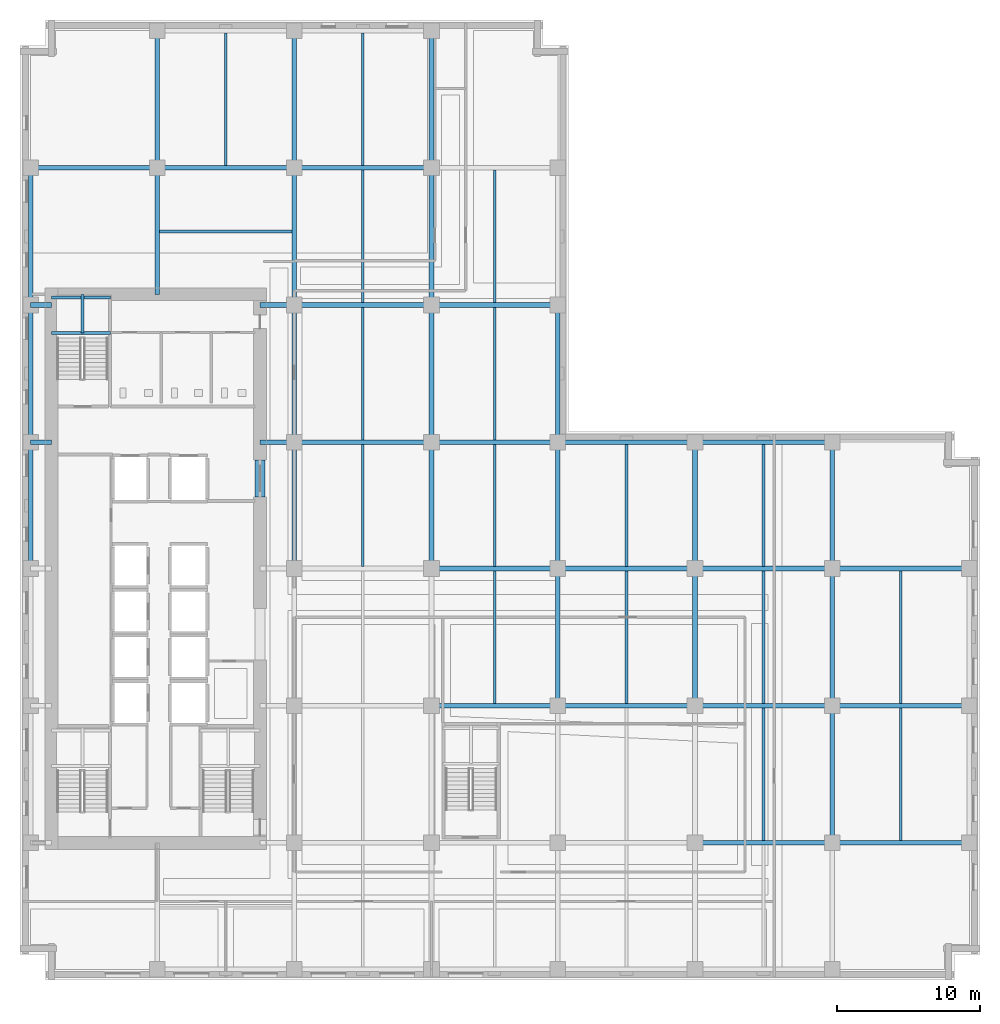
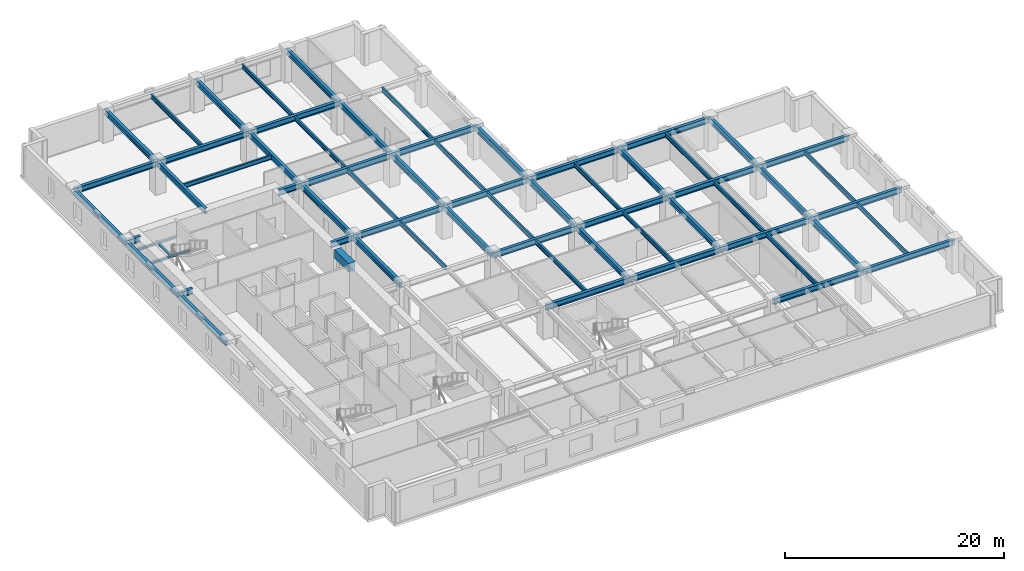
# One storey, part 2 of 15: 65 beams.
"""IFC4 building model written with IfcOpenShell, lengths in metres."""

from ifc_helpers import new_model, si_unit, direction, frame, origin, origin_2d, place, context, subcontext, project, spatial, rectangle, i_section, extrude, material, material_profile, profile_set, type_object, element, save


model = new_model("IFC4")

# Units and contexts
model_context = context("Model", 3, precision=1e-05, world=origin(), true_north=direction((0.0, 1.0)))
body_context = subcontext(model_context, "Body", "Model", "MODEL_VIEW")
ifc_project = project(units=[si_unit("LENGTHUNIT", "METRE"), si_unit("AREAUNIT", "SQUARE_METRE"), si_unit("VOLUMEUNIT", "CUBIC_METRE"), si_unit("PLANEANGLEUNIT", "RADIAN"), si_unit("MASSUNIT", "GRAM", prefix="KILO")], contexts=[model_context])

# Site, building, storey
site_placement = place(None, origin())
site = spatial("IfcSite", under=ifc_project, at=site_placement, CompositionType="ELEMENT")
building_placement = place(site_placement, origin())
building = spatial("IfcBuilding", under=site, at=building_placement, Name="Norrvale University Quadrangle", CompositionType="ELEMENT")
storey_placement = place(building_placement, frame((0.0, 0.0, 92.60009765625)))
storey = spatial("IfcBuildingStorey", under=building, at=storey_placement, Name="L23", CompositionType="ELEMENT", Elevation=92.60009765625)

# Beams
ifc_material_1 = material(Name="Steel 350W", Category="steel")
ifc_material_profile_1 = material_profile(ifc_material_1, i_section(OverallWidth=0.324951171875, OverallDepth=0.615966796875, WebThickness=0.013916015625, FlangeThickness=0.021484375, FilletRadius=0.01611328125, at=origin_2d()), Name="Steel 350W")
ifc_profile_set_1 = profile_set([ifc_material_profile_1], Name="Steel 350W")
beam_type_1 = type_object("IfcBeamType", Name="Beam Belt W610x174", PredefinedType="BEAM", material=ifc_profile_set_1)
beam_1_placement = place(storey_placement, frame((47.25, 9.60009765625, 3.171875), z_axis=(1.0, 0.0, 0.0), x_axis=(0.0, 1.0, 0.0)))
element("IfcBeam", 1, at=beam_1_placement, inside=storey, type_object=beam_type_1, Name="Beam Belt W610x174 BM-L23-GX009", PredefinedType="BEAM", context=body_context, shape_type="SweptSolid", body=[
    extrude(i_section(OverallWidth=0.324951171875, OverallDepth=0.615966796875, WebThickness=0.013916015625, FlangeThickness=0.021484375, FilletRadius=0.01611328125, at=origin_2d()), origin(), (0.0, 0.0, 1.0), 9.60009765625),
])
beam_2_placement = place(storey_placement, frame((56.85009765625, 9.60009765625, 3.171875), z_axis=(1.0, 0.0, 0.0), x_axis=(0.0, 1.0, 0.0)))
element("IfcBeam", 2, at=beam_2_placement, inside=storey, type_object=beam_type_1, Name="Beam Belt W610x174 BM-L23-GX010", PredefinedType="BEAM", context=body_context, shape_type="SweptSolid", body=[
    extrude(i_section(OverallWidth=0.324951171875, OverallDepth=0.615966796875, WebThickness=0.013916015625, FlangeThickness=0.021484375, FilletRadius=0.01611328125, at=origin_2d()), origin(), (0.0, 0.0, 1.0), 9.599853515625),
])
beam_3_placement = place(storey_placement, frame((28.800048828125, 19.199951171875, 3.171875), z_axis=(1.0, 0.0, 0.0), x_axis=(0.0, 1.0, 0.0)))
element("IfcBeam", 3, at=beam_3_placement, inside=storey, type_object=beam_type_1, Name="Beam Belt W610x174 BM-L23-GX012", PredefinedType="BEAM", context=body_context, shape_type="SweptSolid", body=[
    extrude(i_section(OverallWidth=0.324951171875, OverallDepth=0.615966796875, WebThickness=0.013916015625, FlangeThickness=0.021484375, FilletRadius=0.01611328125, at=origin_2d()), origin(), (0.0, 0.0, 1.0), 8.849853515625),
])
for number, where, z_axis, x_axis, name in (
    (4, (37.64990234375, 19.199951171875, 3.171875), (1.0, 0.0, 0.0), (0.0, 1.0, 0.0), "Beam Belt W610x174 BM-L23-GX013"),
    (5, (47.25, 19.199951171875, 3.171875), (1.0, 0.0, 0.0), (0.0, 1.0, 0.0), "Beam Belt W610x174 BM-L23-GX014"),
):
    element("IfcBeam", number, at=place(storey_placement, frame(where, z_axis=z_axis, x_axis=x_axis)), inside=storey, type_object=beam_type_1, Name=name, PredefinedType="BEAM", context=body_context, shape_type="SweptSolid", body=[
        extrude(i_section(OverallWidth=0.324951171875, OverallDepth=0.615966796875, WebThickness=0.013916015625, FlangeThickness=0.021484375, FilletRadius=0.01611328125, at=origin_2d()), origin(), (0.0, 0.0, 1.0), 9.60009765625),
    ])
beam_4_placement = place(storey_placement, frame((56.85009765625, 19.199951171875, 3.171875), z_axis=(1.0, 0.0, 0.0), x_axis=(0.0, 1.0, 0.0)))
element("IfcBeam", 6, at=beam_4_placement, inside=storey, type_object=beam_type_1, Name="Beam Belt W610x174 BM-L23-GX015", PredefinedType="BEAM", context=body_context, shape_type="SweptSolid", body=[
    extrude(i_section(OverallWidth=0.324951171875, OverallDepth=0.615966796875, WebThickness=0.013916015625, FlangeThickness=0.021484375, FilletRadius=0.01611328125, at=origin_2d()), origin(), (0.0, 0.0, 1.0), 9.599853515625),
])
beam_5_placement = place(storey_placement, frame((28.800048828125, 28.800048828125, 3.171875), z_axis=(1.0, 0.0, 0.0), x_axis=(0.0, 1.0, 0.0)))
element("IfcBeam", 7, at=beam_5_placement, inside=storey, type_object=beam_type_1, Name="Beam Belt W610x174 BM-L23-GX017", PredefinedType="BEAM", context=body_context, shape_type="SweptSolid", body=[
    extrude(i_section(OverallWidth=0.324951171875, OverallDepth=0.615966796875, WebThickness=0.013916015625, FlangeThickness=0.021484375, FilletRadius=0.01611328125, at=origin_2d()), origin(), (0.0, 0.0, 1.0), 8.849853515625),
])
for number, where, z_axis, x_axis, name in (
    (8, (37.64990234375, 28.800048828125, 3.171875), (1.0, 0.0, 0.0), (0.0, 1.0, 0.0), "Beam Belt W610x174 BM-L23-GX018"),
    (9, (47.25, 28.800048828125, 3.171875), (1.0, 0.0, 0.0), (0.0, 1.0, 0.0), "Beam Belt W610x174 BM-L23-GX019"),
):
    element("IfcBeam", number, at=place(storey_placement, frame(where, z_axis=z_axis, x_axis=x_axis)), inside=storey, type_object=beam_type_1, Name=name, PredefinedType="BEAM", context=body_context, shape_type="SweptSolid", body=[
        extrude(i_section(OverallWidth=0.324951171875, OverallDepth=0.615966796875, WebThickness=0.013916015625, FlangeThickness=0.021484375, FilletRadius=0.01611328125, at=origin_2d()), origin(), (0.0, 0.0, 1.0), 9.60009765625),
    ])
beam_6_placement = place(storey_placement, frame((56.85009765625, 28.800048828125, 3.171875), z_axis=(1.0, 0.0, 0.0), x_axis=(0.0, 1.0, 0.0)))
element("IfcBeam", 10, at=beam_6_placement, inside=storey, type_object=beam_type_1, Name="Beam Belt W610x174 BM-L23-GX020", PredefinedType="BEAM", context=body_context, shape_type="SweptSolid", body=[
    extrude(i_section(OverallWidth=0.324951171875, OverallDepth=0.615966796875, WebThickness=0.013916015625, FlangeThickness=0.021484375, FilletRadius=0.01611328125, at=origin_2d()), origin(), (0.0, 0.0, 1.0), 9.599853515625),
])
beam_7_placement = place(storey_placement, frame((19.199951171875, 37.64990234375, 3.171875), z_axis=(1.0, 0.0, 0.0), x_axis=(0.0, 1.0, 0.0)))
element("IfcBeam", 11, at=beam_7_placement, inside=storey, type_object=beam_type_1, Name="Beam Belt W610x174 BM-L23-GX021", PredefinedType="BEAM", context=body_context, shape_type="SweptSolid", body=[
    extrude(i_section(OverallWidth=0.324951171875, OverallDepth=0.615966796875, WebThickness=0.013916015625, FlangeThickness=0.021484375, FilletRadius=0.01611328125, at=origin_2d()), origin(), (0.0, 0.0, 1.0), 9.60009765625),
])
beam_8_placement = place(storey_placement, frame((28.800048828125, 37.64990234375, 3.171875), z_axis=(1.0, 0.0, 0.0), x_axis=(0.0, 1.0, 0.0)))
element("IfcBeam", 12, at=beam_8_placement, inside=storey, type_object=beam_type_1, Name="Beam Belt W610x174 BM-L23-GX022", PredefinedType="BEAM", context=body_context, shape_type="SweptSolid", body=[
    extrude(i_section(OverallWidth=0.324951171875, OverallDepth=0.615966796875, WebThickness=0.013916015625, FlangeThickness=0.021484375, FilletRadius=0.01611328125, at=origin_2d()), origin(), (0.0, 0.0, 1.0), 8.849853515625),
])
for number, where, z_axis, x_axis, name in (
    (13, (37.64990234375, 37.64990234375, 3.171875), (1.0, 0.0, 0.0), (0.0, 1.0, 0.0), "Beam Belt W610x174 BM-L23-GX023"),
    (14, (47.25, 37.64990234375, 3.171875), (1.0, 0.0, 0.0), (0.0, 1.0, 0.0), "Beam Belt W610x174 BM-L23-GX024"),
    (15, (19.199951171875, 47.25, 3.171875), (1.0, 0.0, 0.0), (0.0, 1.0, 0.0), "Beam Belt W610x174 BM-L23-GX025"),
):
    element("IfcBeam", number, at=place(storey_placement, frame(where, z_axis=z_axis, x_axis=x_axis)), inside=storey, type_object=beam_type_1, Name=name, PredefinedType="BEAM", context=body_context, shape_type="SweptSolid", body=[
        extrude(i_section(OverallWidth=0.324951171875, OverallDepth=0.615966796875, WebThickness=0.013916015625, FlangeThickness=0.021484375, FilletRadius=0.01611328125, at=origin_2d()), origin(), (0.0, 0.0, 1.0), 9.60009765625),
    ])
beam_9_placement = place(storey_placement, frame((28.800048828125, 47.25, 3.171875), z_axis=(1.0, 0.0, 0.0), x_axis=(0.0, 1.0, 0.0)))
element("IfcBeam", 16, at=beam_9_placement, inside=storey, type_object=beam_type_1, Name="Beam Belt W610x174 BM-L23-GX026", PredefinedType="BEAM", context=body_context, shape_type="SweptSolid", body=[
    extrude(i_section(OverallWidth=0.324951171875, OverallDepth=0.615966796875, WebThickness=0.013916015625, FlangeThickness=0.021484375, FilletRadius=0.01611328125, at=origin_2d()), origin(), (0.0, 0.0, 1.0), 8.849853515625),
])
beam_10_placement = place(storey_placement, frame((0.75, 56.85009765625, 3.171875), z_axis=(1.0, 0.0, 0.0), x_axis=(0.0, 1.0, 0.0)))
element("IfcBeam", 17, at=beam_10_placement, inside=storey, type_object=beam_type_1, Name="Beam Belt W610x174 BM-L23-GX027", PredefinedType="BEAM", context=body_context, shape_type="SweptSolid", body=[
    extrude(i_section(OverallWidth=0.324951171875, OverallDepth=0.615966796875, WebThickness=0.013916015625, FlangeThickness=0.021484375, FilletRadius=0.01611328125, at=origin_2d()), origin(), (0.0, 0.0, 1.0), 8.85009765625),
])
beam_11_placement = place(storey_placement, frame((9.60009765625, 56.85009765625, 3.171875), z_axis=(1.0, 0.0, 0.0), x_axis=(0.0, 1.0, 0.0)))
element("IfcBeam", 18, at=beam_11_placement, inside=storey, type_object=beam_type_1, Name="Beam Belt W610x174 BM-L23-GX028", PredefinedType="BEAM", context=body_context, shape_type="SweptSolid", body=[
    extrude(i_section(OverallWidth=0.324951171875, OverallDepth=0.615966796875, WebThickness=0.013916015625, FlangeThickness=0.021484375, FilletRadius=0.01611328125, at=origin_2d()), origin(), (0.0, 0.0, 1.0), 9.599853515625),
])
beam_12_placement = place(storey_placement, frame((19.199951171875, 56.85009765625, 3.171875), z_axis=(1.0, 0.0, 0.0), x_axis=(0.0, 1.0, 0.0)))
element("IfcBeam", 19, at=beam_12_placement, inside=storey, type_object=beam_type_1, Name="Beam Belt W610x174 BM-L23-GX029", PredefinedType="BEAM", context=body_context, shape_type="SweptSolid", body=[
    extrude(i_section(OverallWidth=0.324951171875, OverallDepth=0.615966796875, WebThickness=0.013916015625, FlangeThickness=0.021484375, FilletRadius=0.01611328125, at=origin_2d()), origin(), (0.0, 0.0, 1.0), 9.60009765625),
])
beam_13_placement = place(storey_placement, frame((0.75, 28.800048828125, 3.171875), z_axis=(0.0, 1.0, 0.0), x_axis=(-1.0, 0.0, 0.0)))
element("IfcBeam", 20, at=beam_13_placement, inside=storey, type_object=beam_type_1, Name="Beam Belt W610x174 BM-L23-GY035", PredefinedType="BEAM", context=body_context, shape_type="SweptSolid", body=[
    extrude(i_section(OverallWidth=0.324951171875, OverallDepth=0.615966796875, WebThickness=0.013916015625, FlangeThickness=0.021484375, FilletRadius=0.01611328125, at=origin_2d()), origin(), (0.0, 0.0, 1.0), 8.849853515625),
])
for number, where, z_axis, x_axis, name in (
    (21, (0.75, 37.64990234375, 3.171875), (0.0, 1.0, 0.0), (-1.0, 0.0, 0.0), "Beam Belt W610x174 BM-L23-GY036"),
    (22, (0.75, 47.25, 3.171875), (0.0, 1.0, 0.0), (-1.0, 0.0, 0.0), "Beam Belt W610x174 BM-L23-GY037"),
):
    element("IfcBeam", number, at=place(storey_placement, frame(where, z_axis=z_axis, x_axis=x_axis)), inside=storey, type_object=beam_type_1, Name=name, PredefinedType="BEAM", context=body_context, shape_type="SweptSolid", body=[
        extrude(i_section(OverallWidth=0.324951171875, OverallDepth=0.615966796875, WebThickness=0.013916015625, FlangeThickness=0.021484375, FilletRadius=0.01611328125, at=origin_2d()), origin(), (0.0, 0.0, 1.0), 9.60009765625),
    ])
beam_14_placement = place(storey_placement, frame((9.60009765625, 56.85009765625, 3.171875), z_axis=(0.0, 1.0, 0.0), x_axis=(-1.0, 0.0, 0.0)))
element("IfcBeam", 23, at=beam_14_placement, inside=storey, type_object=beam_type_1, Name="Beam Belt W610x174 BM-L23-GY038", PredefinedType="BEAM", context=body_context, shape_type="SweptSolid", body=[
    extrude(i_section(OverallWidth=0.324951171875, OverallDepth=0.615966796875, WebThickness=0.013916015625, FlangeThickness=0.021484375, FilletRadius=0.01611328125, at=origin_2d()), origin(), (0.0, 0.0, 1.0), 9.599853515625),
])
beam_15_placement = place(storey_placement, frame((19.199951171875, 28.800048828125, 3.171875), z_axis=(0.0, 1.0, 0.0), x_axis=(-1.0, 0.0, 0.0)))
element("IfcBeam", 24, at=beam_15_placement, inside=storey, type_object=beam_type_1, Name="Beam Belt W610x174 BM-L23-GY042", PredefinedType="BEAM", context=body_context, shape_type="SweptSolid", body=[
    extrude(i_section(OverallWidth=0.324951171875, OverallDepth=0.615966796875, WebThickness=0.013916015625, FlangeThickness=0.021484375, FilletRadius=0.01611328125, at=origin_2d()), origin(), (0.0, 0.0, 1.0), 8.849853515625),
])
for number, where, z_axis, x_axis, name in (
    (25, (19.199951171875, 37.64990234375, 3.171875), (0.0, 1.0, 0.0), (-1.0, 0.0, 0.0), "Beam Belt W610x174 BM-L23-GY043"),
    (26, (19.199951171875, 47.25, 3.171875), (0.0, 1.0, 0.0), (-1.0, 0.0, 0.0), "Beam Belt W610x174 BM-L23-GY044"),
):
    element("IfcBeam", number, at=place(storey_placement, frame(where, z_axis=z_axis, x_axis=x_axis)), inside=storey, type_object=beam_type_1, Name=name, PredefinedType="BEAM", context=body_context, shape_type="SweptSolid", body=[
        extrude(i_section(OverallWidth=0.324951171875, OverallDepth=0.615966796875, WebThickness=0.013916015625, FlangeThickness=0.021484375, FilletRadius=0.01611328125, at=origin_2d()), origin(), (0.0, 0.0, 1.0), 9.60009765625),
    ])
beam_16_placement = place(storey_placement, frame((19.199951171875, 56.85009765625, 3.171875), z_axis=(0.0, 1.0, 0.0), x_axis=(-1.0, 0.0, 0.0)))
element("IfcBeam", 27, at=beam_16_placement, inside=storey, type_object=beam_type_1, Name="Beam Belt W610x174 BM-L23-GY045", PredefinedType="BEAM", context=body_context, shape_type="SweptSolid", body=[
    extrude(i_section(OverallWidth=0.324951171875, OverallDepth=0.615966796875, WebThickness=0.013916015625, FlangeThickness=0.021484375, FilletRadius=0.01611328125, at=origin_2d()), origin(), (0.0, 0.0, 1.0), 9.599853515625),
])
beam_17_placement = place(storey_placement, frame((28.800048828125, 28.800048828125, 3.171875), z_axis=(0.0, 1.0, 0.0), x_axis=(-1.0, 0.0, 0.0)))
element("IfcBeam", 28, at=beam_17_placement, inside=storey, type_object=beam_type_1, Name="Beam Belt W610x174 BM-L23-GY049", PredefinedType="BEAM", context=body_context, shape_type="SweptSolid", body=[
    extrude(i_section(OverallWidth=0.324951171875, OverallDepth=0.615966796875, WebThickness=0.013916015625, FlangeThickness=0.021484375, FilletRadius=0.01611328125, at=origin_2d()), origin(), (0.0, 0.0, 1.0), 8.849853515625),
])
for number, where, z_axis, x_axis, name in (
    (29, (28.800048828125, 37.64990234375, 3.171875), (0.0, 1.0, 0.0), (-1.0, 0.0, 0.0), "Beam Belt W610x174 BM-L23-GY050"),
    (30, (28.800048828125, 47.25, 3.171875), (0.0, 1.0, 0.0), (-1.0, 0.0, 0.0), "Beam Belt W610x174 BM-L23-GY051"),
):
    element("IfcBeam", number, at=place(storey_placement, frame(where, z_axis=z_axis, x_axis=x_axis)), inside=storey, type_object=beam_type_1, Name=name, PredefinedType="BEAM", context=body_context, shape_type="SweptSolid", body=[
        extrude(i_section(OverallWidth=0.324951171875, OverallDepth=0.615966796875, WebThickness=0.013916015625, FlangeThickness=0.021484375, FilletRadius=0.01611328125, at=origin_2d()), origin(), (0.0, 0.0, 1.0), 9.60009765625),
    ])
beam_18_placement = place(storey_placement, frame((28.800048828125, 56.85009765625, 3.171875), z_axis=(0.0, 1.0, 0.0), x_axis=(-1.0, 0.0, 0.0)))
element("IfcBeam", 31, at=beam_18_placement, inside=storey, type_object=beam_type_1, Name="Beam Belt W610x174 BM-L23-GY052", PredefinedType="BEAM", context=body_context, shape_type="SweptSolid", body=[
    extrude(i_section(OverallWidth=0.324951171875, OverallDepth=0.615966796875, WebThickness=0.013916015625, FlangeThickness=0.021484375, FilletRadius=0.01611328125, at=origin_2d()), origin(), (0.0, 0.0, 1.0), 9.599853515625),
])
beam_19_placement = place(storey_placement, frame((37.64990234375, 19.199951171875, 3.171875), z_axis=(0.0, 1.0, 0.0), x_axis=(-1.0, 0.0, 0.0)))
element("IfcBeam", 32, at=beam_19_placement, inside=storey, type_object=beam_type_1, Name="Beam Belt W610x174 BM-L23-GY055", PredefinedType="BEAM", context=body_context, shape_type="SweptSolid", body=[
    extrude(i_section(OverallWidth=0.324951171875, OverallDepth=0.615966796875, WebThickness=0.013916015625, FlangeThickness=0.021484375, FilletRadius=0.01611328125, at=origin_2d()), origin(), (0.0, 0.0, 1.0), 9.60009765625),
])
beam_20_placement = place(storey_placement, frame((37.64990234375, 28.800048828125, 3.171875), z_axis=(0.0, 1.0, 0.0), x_axis=(-1.0, 0.0, 0.0)))
element("IfcBeam", 33, at=beam_20_placement, inside=storey, type_object=beam_type_1, Name="Beam Belt W610x174 BM-L23-GY056", PredefinedType="BEAM", context=body_context, shape_type="SweptSolid", body=[
    extrude(i_section(OverallWidth=0.324951171875, OverallDepth=0.615966796875, WebThickness=0.013916015625, FlangeThickness=0.021484375, FilletRadius=0.01611328125, at=origin_2d()), origin(), (0.0, 0.0, 1.0), 8.849853515625),
])
for number, where, z_axis, x_axis, name in (
    (34, (37.64990234375, 37.64990234375, 3.171875), (0.0, 1.0, 0.0), (-1.0, 0.0, 0.0), "Beam Belt W610x174 BM-L23-GY057"),
    (35, (47.25, 19.199951171875, 3.171875), (0.0, 1.0, 0.0), (-1.0, 0.0, 0.0), "Beam Belt W610x174 BM-L23-GY061"),
):
    element("IfcBeam", number, at=place(storey_placement, frame(where, z_axis=z_axis, x_axis=x_axis)), inside=storey, type_object=beam_type_1, Name=name, PredefinedType="BEAM", context=body_context, shape_type="SweptSolid", body=[
        extrude(i_section(OverallWidth=0.324951171875, OverallDepth=0.615966796875, WebThickness=0.013916015625, FlangeThickness=0.021484375, FilletRadius=0.01611328125, at=origin_2d()), origin(), (0.0, 0.0, 1.0), 9.60009765625),
    ])
beam_21_placement = place(storey_placement, frame((47.25, 28.800048828125, 3.171875), z_axis=(0.0, 1.0, 0.0), x_axis=(-1.0, 0.0, 0.0)))
element("IfcBeam", 36, at=beam_21_placement, inside=storey, type_object=beam_type_1, Name="Beam Belt W610x174 BM-L23-GY062", PredefinedType="BEAM", context=body_context, shape_type="SweptSolid", body=[
    extrude(i_section(OverallWidth=0.324951171875, OverallDepth=0.615966796875, WebThickness=0.013916015625, FlangeThickness=0.021484375, FilletRadius=0.01611328125, at=origin_2d()), origin(), (0.0, 0.0, 1.0), 8.849853515625),
])
beam_22_placement = place(storey_placement, frame((56.85009765625, 9.60009765625, 3.171875), z_axis=(0.0, 1.0, 0.0), x_axis=(-1.0, 0.0, 0.0)))
element("IfcBeam", 37, at=beam_22_placement, inside=storey, type_object=beam_type_1, Name="Beam Belt W610x174 BM-L23-GY064", PredefinedType="BEAM", context=body_context, shape_type="SweptSolid", body=[
    extrude(i_section(OverallWidth=0.324951171875, OverallDepth=0.615966796875, WebThickness=0.013916015625, FlangeThickness=0.021484375, FilletRadius=0.01611328125, at=origin_2d()), origin(), (0.0, 0.0, 1.0), 9.599853515625),
])
beam_23_placement = place(storey_placement, frame((56.85009765625, 19.199951171875, 3.171875), z_axis=(0.0, 1.0, 0.0), x_axis=(-1.0, 0.0, 0.0)))
element("IfcBeam", 38, at=beam_23_placement, inside=storey, type_object=beam_type_1, Name="Beam Belt W610x174 BM-L23-GY065", PredefinedType="BEAM", context=body_context, shape_type="SweptSolid", body=[
    extrude(i_section(OverallWidth=0.324951171875, OverallDepth=0.615966796875, WebThickness=0.013916015625, FlangeThickness=0.021484375, FilletRadius=0.01611328125, at=origin_2d()), origin(), (0.0, 0.0, 1.0), 9.60009765625),
])
beam_24_placement = place(storey_placement, frame((56.85009765625, 28.800048828125, 3.171875), z_axis=(0.0, 1.0, 0.0), x_axis=(-1.0, 0.0, 0.0)))
element("IfcBeam", 39, at=beam_24_placement, inside=storey, type_object=beam_type_1, Name="Beam Belt W610x174 BM-L23-GY066", PredefinedType="BEAM", context=body_context, shape_type="SweptSolid", body=[
    extrude(i_section(OverallWidth=0.324951171875, OverallDepth=0.615966796875, WebThickness=0.013916015625, FlangeThickness=0.021484375, FilletRadius=0.01611328125, at=origin_2d()), origin(), (0.0, 0.0, 1.0), 8.849853515625),
])
beam_25_placement = place(storey_placement, frame((0.75, 37.64990234375, 3.171875), z_axis=(1.0, 0.0, 0.0), x_axis=(0.0, 1.0, 0.0)))
element("IfcBeam", 40, at=beam_25_placement, inside=storey, type_object=beam_type_1, Name="Beam Belt W610x174 BM-L23-GCW075", PredefinedType="BEAM", context=body_context, shape_type="SweptSolid", body=[
    extrude(i_section(OverallWidth=0.324951171875, OverallDepth=0.615966796875, WebThickness=0.013916015625, FlangeThickness=0.021484375, FilletRadius=0.01611328125, at=origin_2d()), origin(), (0.0, 0.0, 1.0), 1.449951171875),
])
beam_26_placement = place(storey_placement, frame((16.800048828125, 37.64990234375, 3.171875), z_axis=(1.0, 0.0, 0.0), x_axis=(0.0, 1.0, 0.0)))
element("IfcBeam", 41, at=beam_26_placement, inside=storey, type_object=beam_type_1, Name="Beam Belt W610x174 BM-L23-GCE076", PredefinedType="BEAM", context=body_context, shape_type="SweptSolid", body=[
    extrude(i_section(OverallWidth=0.324951171875, OverallDepth=0.615966796875, WebThickness=0.013916015625, FlangeThickness=0.021484375, FilletRadius=0.01611328125, at=origin_2d()), origin(), (0.0, 0.0, 1.0), 2.39990234375),
])
beam_27_placement = place(storey_placement, frame((0.75, 47.25, 3.171875), z_axis=(1.0, 0.0, 0.0), x_axis=(0.0, 1.0, 0.0)))
element("IfcBeam", 42, at=beam_27_placement, inside=storey, type_object=beam_type_1, Name="Beam Belt W610x174 BM-L23-GCW077", PredefinedType="BEAM", context=body_context, shape_type="SweptSolid", body=[
    extrude(i_section(OverallWidth=0.324951171875, OverallDepth=0.615966796875, WebThickness=0.013916015625, FlangeThickness=0.021484375, FilletRadius=0.01611328125, at=origin_2d()), origin(), (0.0, 0.0, 1.0), 1.449951171875),
])
beam_28_placement = place(storey_placement, frame((16.800048828125, 47.25, 3.171875), z_axis=(1.0, 0.0, 0.0), x_axis=(0.0, 1.0, 0.0)))
element("IfcBeam", 43, at=beam_28_placement, inside=storey, type_object=beam_type_1, Name="Beam Belt W610x174 BM-L23-GCE078", PredefinedType="BEAM", context=body_context, shape_type="SweptSolid", body=[
    extrude(i_section(OverallWidth=0.324951171875, OverallDepth=0.615966796875, WebThickness=0.013916015625, FlangeThickness=0.021484375, FilletRadius=0.01611328125, at=origin_2d()), origin(), (0.0, 0.0, 1.0), 2.39990234375),
])
beam_29_placement = place(storey_placement, frame((9.60009765625, 48.0, 3.171875), z_axis=(0.0, 1.0, 0.0), x_axis=(-1.0, 0.0, 0.0)))
element("IfcBeam", 44, at=beam_29_placement, inside=storey, type_object=beam_type_1, Name="Beam Belt W610x174 BM-L23-GCN104", PredefinedType="BEAM", context=body_context, shape_type="SweptSolid", body=[
    extrude(i_section(OverallWidth=0.324951171875, OverallDepth=0.615966796875, WebThickness=0.013916015625, FlangeThickness=0.021484375, FilletRadius=0.01611328125, at=origin_2d()), origin(), (0.0, 0.0, 1.0), 8.85009765625),
])
ifc_material_2 = material(Name="Concrete C80/95", Category="concrete")
ifc_material_profile_2 = material_profile(ifc_material_2, rectangle(XDim=0.699951171875, YDim=0.949951171875, at=origin_2d()), Name="Concrete C80/95")
ifc_profile_set_2 = profile_set([ifc_material_profile_2], Name="Concrete C80/95")
beam_type_2 = type_object("IfcBeamType", Name="Beam Core Link 700x950", PredefinedType="LINTEL", material=ifc_profile_set_2)
beam_30_placement = place(storey_placement, frame((16.800048828125, 33.800048828125, 3.0048828125), z_axis=(0.0, 1.0, 0.0), x_axis=(-1.0, 0.0, 0.0)))
element("IfcBeam", 45, at=beam_30_placement, inside=storey, type_object=beam_type_2, Name="Core Coupling Lintel Beam L23-2", PredefinedType="LINTEL", context=body_context, shape_type="SweptSolid", body=[
    extrude(rectangle(XDim=0.699951171875, YDim=0.949951171875, at=origin_2d()), origin(), (0.0, 0.0, 1.0), 2.599853515625),
])
ifc_material_profile_3 = material_profile(ifc_material_1, i_section(OverallWidth=0.194091796875, OverallDepth=0.468994140625, WebThickness=0.0126953125, FlangeThickness=0.0205078125, FilletRadius=0.012939453125, at=origin_2d()), Name="Steel 350W")
ifc_profile_set_3 = profile_set([ifc_material_profile_3], Name="Steel 350W")
beam_type_3 = type_object("IfcBeamType", Name="Beam Floor W460x106", PredefinedType="BEAM", material=ifc_profile_set_3)
beam_31_placement = place(storey_placement, frame((14.39990234375, 57.012451171875, 3.245361328125), z_axis=(0.0, 1.0, 0.0), x_axis=(-1.0, 0.0, 0.0)))
element("IfcBeam", 46, at=beam_31_placement, inside=storey, type_object=beam_type_3, Name="Beam Floor W460x106 BM-L23-J079", PredefinedType="BEAM", context=body_context, shape_type="SweptSolid", body=[
    extrude(i_section(OverallWidth=0.194091796875, OverallDepth=0.468994140625, WebThickness=0.0126953125, FlangeThickness=0.0205078125, FilletRadius=0.012939453125, at=origin_2d()), origin(), (0.0, 0.0, 1.0), 9.275146484375),
])
beam_32_placement = place(storey_placement, frame((24.0, 28.96240234375, 3.245361328125), z_axis=(0.0, 1.0, 0.0), x_axis=(-1.0, 0.0, 0.0)))
element("IfcBeam", 47, at=beam_32_placement, inside=storey, type_object=beam_type_3, Name="Beam Floor W460x106 BM-L23-J083", PredefinedType="BEAM", context=body_context, shape_type="SweptSolid", body=[
    extrude(i_section(OverallWidth=0.194091796875, OverallDepth=0.468994140625, WebThickness=0.0126953125, FlangeThickness=0.0205078125, FilletRadius=0.012939453125, at=origin_2d()), origin(), (0.0, 0.0, 1.0), 8.525146484375),
])
for number, where, z_axis, x_axis, name in (
    (48, (24.0, 37.8125, 3.245361328125), (0.0, 1.0, 0.0), (-1.0, 0.0, 0.0), "Beam Floor W460x106 BM-L23-J084"),
    (49, (24.0, 47.41259765625, 3.245361328125), (0.0, 1.0, 0.0), (-1.0, 0.0, 0.0), "Beam Floor W460x106 BM-L23-J085"),
):
    element("IfcBeam", number, at=place(storey_placement, frame(where, z_axis=z_axis, x_axis=x_axis)), inside=storey, type_object=beam_type_3, Name=name, PredefinedType="BEAM", context=body_context, shape_type="SweptSolid", body=[
        extrude(i_section(OverallWidth=0.194091796875, OverallDepth=0.468994140625, WebThickness=0.0126953125, FlangeThickness=0.0205078125, FilletRadius=0.012939453125, at=origin_2d()), origin(), (0.0, 0.0, 1.0), 9.27490234375),
    ])
beam_33_placement = place(storey_placement, frame((24.0, 57.012451171875, 3.245361328125), z_axis=(0.0, 1.0, 0.0), x_axis=(-1.0, 0.0, 0.0)))
element("IfcBeam", 50, at=beam_33_placement, inside=storey, type_object=beam_type_3, Name="Beam Floor W460x106 BM-L23-J086", PredefinedType="BEAM", context=body_context, shape_type="SweptSolid", body=[
    extrude(i_section(OverallWidth=0.194091796875, OverallDepth=0.468994140625, WebThickness=0.0126953125, FlangeThickness=0.0205078125, FilletRadius=0.012939453125, at=origin_2d()), origin(), (0.0, 0.0, 1.0), 9.275146484375),
])
beam_34_placement = place(storey_placement, frame((33.22509765625, 19.362548828125, 3.245361328125), z_axis=(0.0, 1.0, 0.0), x_axis=(-1.0, 0.0, 0.0)))
element("IfcBeam", 51, at=beam_34_placement, inside=storey, type_object=beam_type_3, Name="Beam Floor W460x106 BM-L23-J088", PredefinedType="BEAM", context=body_context, shape_type="SweptSolid", body=[
    extrude(i_section(OverallWidth=0.194091796875, OverallDepth=0.468994140625, WebThickness=0.0126953125, FlangeThickness=0.0205078125, FilletRadius=0.012939453125, at=origin_2d()), origin(), (0.0, 0.0, 1.0), 9.27490234375),
])
beam_35_placement = place(storey_placement, frame((33.22509765625, 28.96240234375, 3.245361328125), z_axis=(0.0, 1.0, 0.0), x_axis=(-1.0, 0.0, 0.0)))
element("IfcBeam", 52, at=beam_35_placement, inside=storey, type_object=beam_type_3, Name="Beam Floor W460x106 BM-L23-J089", PredefinedType="BEAM", context=body_context, shape_type="SweptSolid", body=[
    extrude(i_section(OverallWidth=0.194091796875, OverallDepth=0.468994140625, WebThickness=0.0126953125, FlangeThickness=0.0205078125, FilletRadius=0.012939453125, at=origin_2d()), origin(), (0.0, 0.0, 1.0), 8.525146484375),
])
for number, where, z_axis, x_axis, name in (
    (53, (33.22509765625, 37.8125, 3.245361328125), (0.0, 1.0, 0.0), (-1.0, 0.0, 0.0), "Beam Floor W460x106 BM-L23-J090"),
    (54, (33.22509765625, 47.41259765625, 3.245361328125), (0.0, 1.0, 0.0), (-1.0, 0.0, 0.0), "Beam Floor W460x106 BM-L23-J091"),
    (55, (42.449951171875, 19.362548828125, 3.245361328125), (0.0, 1.0, 0.0), (-1.0, 0.0, 0.0), "Beam Floor W460x106 BM-L23-J094"),
):
    element("IfcBeam", number, at=place(storey_placement, frame(where, z_axis=z_axis, x_axis=x_axis)), inside=storey, type_object=beam_type_3, Name=name, PredefinedType="BEAM", context=body_context, shape_type="SweptSolid", body=[
        extrude(i_section(OverallWidth=0.194091796875, OverallDepth=0.468994140625, WebThickness=0.0126953125, FlangeThickness=0.0205078125, FilletRadius=0.012939453125, at=origin_2d()), origin(), (0.0, 0.0, 1.0), 9.27490234375),
    ])
beam_36_placement = place(storey_placement, frame((42.449951171875, 28.96240234375, 3.245361328125), z_axis=(0.0, 1.0, 0.0), x_axis=(-1.0, 0.0, 0.0)))
element("IfcBeam", 56, at=beam_36_placement, inside=storey, type_object=beam_type_3, Name="Beam Floor W460x106 BM-L23-J095", PredefinedType="BEAM", context=body_context, shape_type="SweptSolid", body=[
    extrude(i_section(OverallWidth=0.194091796875, OverallDepth=0.468994140625, WebThickness=0.0126953125, FlangeThickness=0.0205078125, FilletRadius=0.012939453125, at=origin_2d()), origin(), (0.0, 0.0, 1.0), 8.525146484375),
])
beam_37_placement = place(storey_placement, frame((52.050048828125, 9.762451171875, 3.245361328125), z_axis=(0.0, 1.0, 0.0), x_axis=(-1.0, 0.0, 0.0)))
element("IfcBeam", 57, at=beam_37_placement, inside=storey, type_object=beam_type_3, Name="Beam Floor W460x106 BM-L23-J097", PredefinedType="BEAM", context=body_context, shape_type="SweptSolid", body=[
    extrude(i_section(OverallWidth=0.194091796875, OverallDepth=0.468994140625, WebThickness=0.0126953125, FlangeThickness=0.0205078125, FilletRadius=0.012939453125, at=origin_2d()), origin(), (0.0, 0.0, 1.0), 9.275146484375),
])
beam_38_placement = place(storey_placement, frame((52.050048828125, 19.362548828125, 3.245361328125), z_axis=(0.0, 1.0, 0.0), x_axis=(-1.0, 0.0, 0.0)))
element("IfcBeam", 58, at=beam_38_placement, inside=storey, type_object=beam_type_3, Name="Beam Floor W460x106 BM-L23-J098", PredefinedType="BEAM", context=body_context, shape_type="SweptSolid", body=[
    extrude(i_section(OverallWidth=0.194091796875, OverallDepth=0.468994140625, WebThickness=0.0126953125, FlangeThickness=0.0205078125, FilletRadius=0.012939453125, at=origin_2d()), origin(), (0.0, 0.0, 1.0), 9.27490234375),
])
beam_39_placement = place(storey_placement, frame((52.050048828125, 28.96240234375, 3.245361328125), z_axis=(0.0, 1.0, 0.0), x_axis=(-1.0, 0.0, 0.0)))
element("IfcBeam", 59, at=beam_39_placement, inside=storey, type_object=beam_type_3, Name="Beam Floor W460x106 BM-L23-J099", PredefinedType="BEAM", context=body_context, shape_type="SweptSolid", body=[
    extrude(i_section(OverallWidth=0.194091796875, OverallDepth=0.468994140625, WebThickness=0.0126953125, FlangeThickness=0.0205078125, FilletRadius=0.012939453125, at=origin_2d()), origin(), (0.0, 0.0, 1.0), 8.525146484375),
])
beam_40_placement = place(storey_placement, frame((61.64990234375, 9.762451171875, 3.245361328125), z_axis=(0.0, 1.0, 0.0), x_axis=(-1.0, 0.0, 0.0)))
element("IfcBeam", 60, at=beam_40_placement, inside=storey, type_object=beam_type_3, Name="Beam Floor W460x106 BM-L23-J100", PredefinedType="BEAM", context=body_context, shape_type="SweptSolid", body=[
    extrude(i_section(OverallWidth=0.194091796875, OverallDepth=0.468994140625, WebThickness=0.0126953125, FlangeThickness=0.0205078125, FilletRadius=0.012939453125, at=origin_2d()), origin(), (0.0, 0.0, 1.0), 9.275146484375),
])
beam_41_placement = place(storey_placement, frame((61.64990234375, 19.362548828125, 3.245361328125), z_axis=(0.0, 1.0, 0.0), x_axis=(-1.0, 0.0, 0.0)))
element("IfcBeam", 61, at=beam_41_placement, inside=storey, type_object=beam_type_3, Name="Beam Floor W460x106 BM-L23-J101", PredefinedType="BEAM", context=body_context, shape_type="SweptSolid", body=[
    extrude(i_section(OverallWidth=0.194091796875, OverallDepth=0.468994140625, WebThickness=0.0126953125, FlangeThickness=0.0205078125, FilletRadius=0.012939453125, at=origin_2d()), origin(), (0.0, 0.0, 1.0), 9.27490234375),
])
beam_42_placement = place(storey_placement, frame((9.762451171875, 52.39990234375, 3.245361328125), z_axis=(1.0, 0.0, 0.0), x_axis=(0.0, 1.0, 0.0)))
element("IfcBeam", 62, at=beam_42_placement, inside=storey, type_object=beam_type_3, Name="Beam Floor W460x106 BM-L23-JCN105", PredefinedType="BEAM", context=body_context, shape_type="SweptSolid", body=[
    extrude(i_section(OverallWidth=0.194091796875, OverallDepth=0.468994140625, WebThickness=0.0126953125, FlangeThickness=0.0205078125, FilletRadius=0.012939453125, at=origin_2d()), origin(), (0.0, 0.0, 1.0), 9.275146484375),
])
ifc_material_profile_4 = material_profile(ifc_material_1, i_section(OverallWidth=0.201904296875, OverallDepth=0.2470703125, WebThickness=0.00732421875, FlangeThickness=0.010986328125, FilletRadius=0.011962890625, at=origin_2d()), Name="Steel 350W")
ifc_profile_set_4 = profile_set([ifc_material_profile_4], Name="Steel 350W")
beam_type_4 = type_object("IfcBeamType", Name="Beam Stair W250x49", PredefinedType="BEAM", material=ifc_profile_set_4)
for number, where, z_axis, x_axis, name in (
    (63, (2.199951171875, 45.2900390625, 1.576416015625), (1.0, 0.0, 0.0), (0.0, 1.0, 0.0), "Stair Mid-Landing Front Beam ST-02 L23"),
    (64, (2.199951171875, 47.77001953125, 1.576416015625), (1.0, 0.0, 0.0), (0.0, 1.0, 0.0), "Stair Mid-Landing Rear Beam ST-02 L23"),
):
    element("IfcBeam", number, at=place(storey_placement, frame(where, z_axis=z_axis, x_axis=x_axis)), inside=storey, type_object=beam_type_4, Name=name, PredefinedType="BEAM", context=body_context, shape_type="SweptSolid", body=[
        extrude(i_section(OverallWidth=0.201904296875, OverallDepth=0.2470703125, WebThickness=0.00732421875, FlangeThickness=0.010986328125, FilletRadius=0.011962890625, at=origin_2d()), origin(), (0.0, 0.0, 1.0), 4.14013671875),
    ])
ifc_material_profile_5 = material_profile(ifc_material_1, i_section(OverallWidth=0.202880859375, OverallDepth=0.202880859375, WebThickness=0.007080078125, FlangeThickness=0.010986328125, FilletRadius=0.010009765625, at=origin_2d()), Name="Steel 350W")
ifc_profile_set_5 = profile_set([ifc_material_profile_5], Name="Steel 350W")
beam_type_5 = type_object("IfcBeamType", Name="Beam Trim W200x46", PredefinedType="BEAM", material=ifc_profile_set_5)
beam_43_placement = place(storey_placement, frame((4.375, 45.2900390625, 1.598388671875), z_axis=(0.0, 1.0, 0.0), x_axis=(-1.0, 0.0, 0.0)))
element("IfcBeam", 65, at=beam_43_placement, inside=storey, type_object=beam_type_5, Name="Stair Mid-Landing Cross Beam ST-02 L23", PredefinedType="BEAM", context=body_context, shape_type="SweptSolid", body=[
    extrude(i_section(OverallWidth=0.202880859375, OverallDepth=0.202880859375, WebThickness=0.007080078125, FlangeThickness=0.010986328125, FilletRadius=0.010009765625, at=origin_2d()), origin(), (0.0, 0.0, 1.0), 2.7099609375),
])

save(model, "model.ifc")
